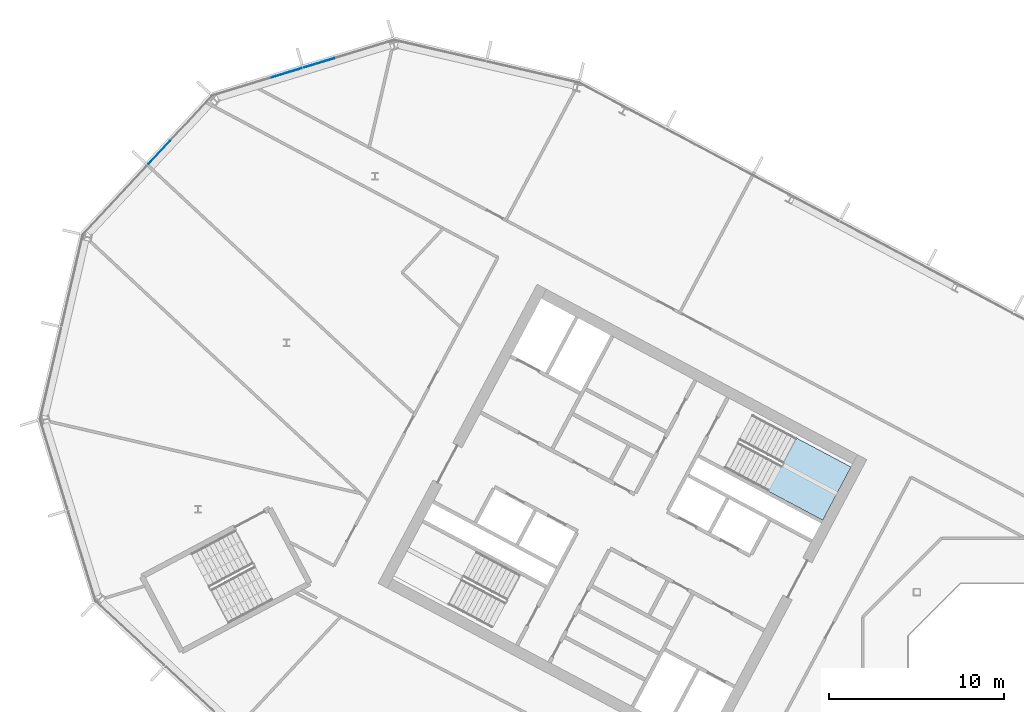
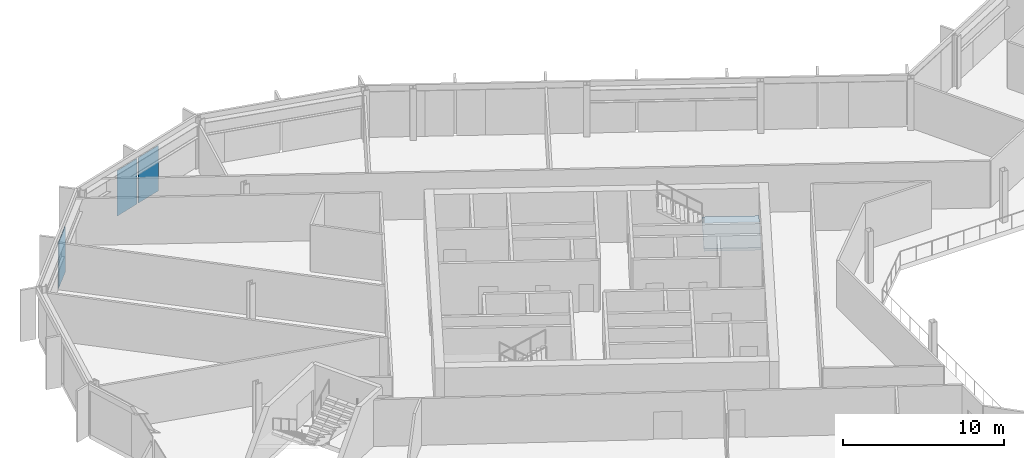
# One storey, part 11 of 27: 3 plates, 1 slab, 3 elements without a shape of their own.
"""IFC4 building model written with IfcOpenShell, lengths in metres."""

from ifc_helpers import new_model, si_unit, direction, frame, origin, origin_2d, place, context, subcontext, project, spatial, polyline, rectangle, outline, extrude, material, layer, layer_set, type_object, element, aggregate, save


model = new_model("IFC4")

# Units and contexts
model_context = context("Model", 3, precision=1e-05, world=origin(), true_north=direction((0.0, 1.0)))
body_context = subcontext(model_context, "Body", "Model", "MODEL_VIEW")
ifc_project = project(units=[si_unit("LENGTHUNIT", "METRE"), si_unit("AREAUNIT", "SQUARE_METRE"), si_unit("VOLUMEUNIT", "CUBIC_METRE"), si_unit("PLANEANGLEUNIT", "RADIAN"), si_unit("MASSUNIT", "GRAM", prefix="KILO")], contexts=[model_context])

# Site, building, storey
site_placement = place(None, origin())
site = spatial("IfcSite", under=ifc_project, at=site_placement, CompositionType="ELEMENT")
building_placement = place(site_placement, origin())
building = spatial("IfcBuilding", under=site, at=building_placement, Name="Cormorant Relay Tower", CompositionType="ELEMENT")
storey_placement = place(building_placement, frame((0.0, 0.0, 216.89990234375)))
storey = spatial("IfcBuildingStorey", under=building, at=storey_placement, Name="L47", CompositionType="ELEMENT", Elevation=216.89990234375)

# Curtain wall, plates
ifc_material_1 = material(Name="Aluminium 6063-T6 anodised bronze", Category="aluminium")
ifc_layer_1 = layer(ifc_material_1, 0.199951171875)
ifc_layer_set_1 = layer_set([ifc_layer_1], Name="CW1 unitised bronze curtain wall with vertical fins")
curtain_wall_type = type_object("IfcCurtainWallType", Name="CW1 unitised bronze curtain wall with vertical fins", PredefinedType="NOTDEFINED", material=ifc_layer_set_1)
curtain_wall_1_placement = place(storey_placement, origin())
curtain_wall_1 = element("IfcCurtainWall", 1, at=curtain_wall_1_placement, inside=storey, type_object=curtain_wall_type, Name="CW1 curtain wall 11", PredefinedType="NOTDEFINED")
ifc_material_2 = material(Name="Tinted laminated glass", Category="glass")
ifc_layer_2 = layer(ifc_material_2, 0.0400390625)
ifc_layer_set_2 = layer_set([ifc_layer_2], Name="CW1 tinted vision panel 1800 module")
plate_type = type_object("IfcPlateType", Name="CW1 tinted vision panel 1800 module", PredefinedType="CURTAIN_PANEL", material=ifc_layer_set_2)
plate_1_placement = place(storey_placement, frame((-44.73681640625, 40.82861328125, 0.0), z_axis=(0.0, 0.0, 1.0), x_axis=(-0.956304755963, -0.292371704723, 0.0)))
plate_1 = element("IfcPlate", 2, at=plate_1_placement, type_object=plate_type, Name="CW1 panel V01", PredefinedType="CURTAIN_PANEL", context=body_context, shape_type="SweptSolid", body=[
    extrude(rectangle(XDim=1.800048828125, YDim=0.0400390625, at=origin_2d()), origin(), (0.0, 0.0, 1.0), 3.449951171875),
])
plate_2_placement = place(storey_placement, frame((-46.6015625, 40.25830078125, 0.0), z_axis=(0.0, 0.0, 1.0), x_axis=(-0.956304755963, -0.292371704723, 0.0)))
plate_2 = element("IfcPlate", 3, at=plate_2_placement, type_object=plate_type, Name="CW1 panel V02", PredefinedType="CURTAIN_PANEL", context=body_context, shape_type="SweptSolid", body=[
    extrude(rectangle(XDim=1.800048828125, YDim=0.0400390625, at=origin_2d()), origin(), (0.0, 0.0, 1.0), 3.449951171875),
])
aggregate(curtain_wall_1, [plate_1, plate_2])

# Curtain wall, plate
curtain_wall_2_placement = place(storey_placement, origin())
curtain_wall_2 = element("IfcCurtainWall", 4, at=curtain_wall_2_placement, inside=storey, type_object=curtain_wall_type, Name="CW1 curtain wall 12", PredefinedType="NOTDEFINED")
plate_3_placement = place(storey_placement, frame((-53.91748046875, 35.68701171875, 0.0), z_axis=(0.0, 0.0, 1.0), x_axis=(-0.681998360062, -0.731353701619, 0.0)))
plate_3 = element("IfcPlate", 5, at=plate_3_placement, type_object=plate_type, Name="CW1 panel V01", PredefinedType="CURTAIN_PANEL", context=body_context, shape_type="SweptSolid", body=[
    extrude(rectangle(XDim=1.800048828125, YDim=0.0400390625, at=origin_2d()), origin(), (0.0, 0.0, 1.0), 3.449951171875),
])
aggregate(curtain_wall_2, [plate_3])

# Stair, slab
ifc_material_3 = material(Name="Concrete 40 MPa", Category="concrete")
stair_type = type_object("IfcStairType", Name="Exit stair 1500", PredefinedType="HALF_TURN_STAIR", material=ifc_material_3)
stair_placement = place(storey_placement, origin())
stair = element("IfcStair", 6, at=stair_placement, inside=storey, type_object=stair_type, Name="L47 Stair", PredefinedType="HALF_TURN_STAIR")
ifc_material_4 = material(Name="Concrete 40 MPa", Category="concrete")
ifc_layer_3 = layer(ifc_material_4, 0.199951171875)
ifc_layer_set_3 = layer_set([ifc_layer_3], Name="Exit stair landing 200")
slab_type = type_object("IfcSlabType", Name="Exit stair landing 200", PredefinedType="LANDING", material=ifc_layer_set_3)
slab_placement = place(storey_placement, frame((0.0, 0.0, 1.75)))
slab = element("IfcSlab", 7, at=slab_placement, type_object=slab_type, Name="A1 landing 1", PredefinedType="LANDING", context=body_context, shape_type="SweptSolid", body=[
    extrude(outline(polyline([(-19.029541015625, 16.29052734375), (-15.89501953125, 14.6240234375), (-14.275390625, 17.670166015625), (-17.40966796875, 19.3369140625), (-19.029541015625, 16.29052734375)])), origin(), (0.0, 0.0, 1.0), 0.2001953125),
])
aggregate(stair, [slab])

save(model, "model.ifc")
